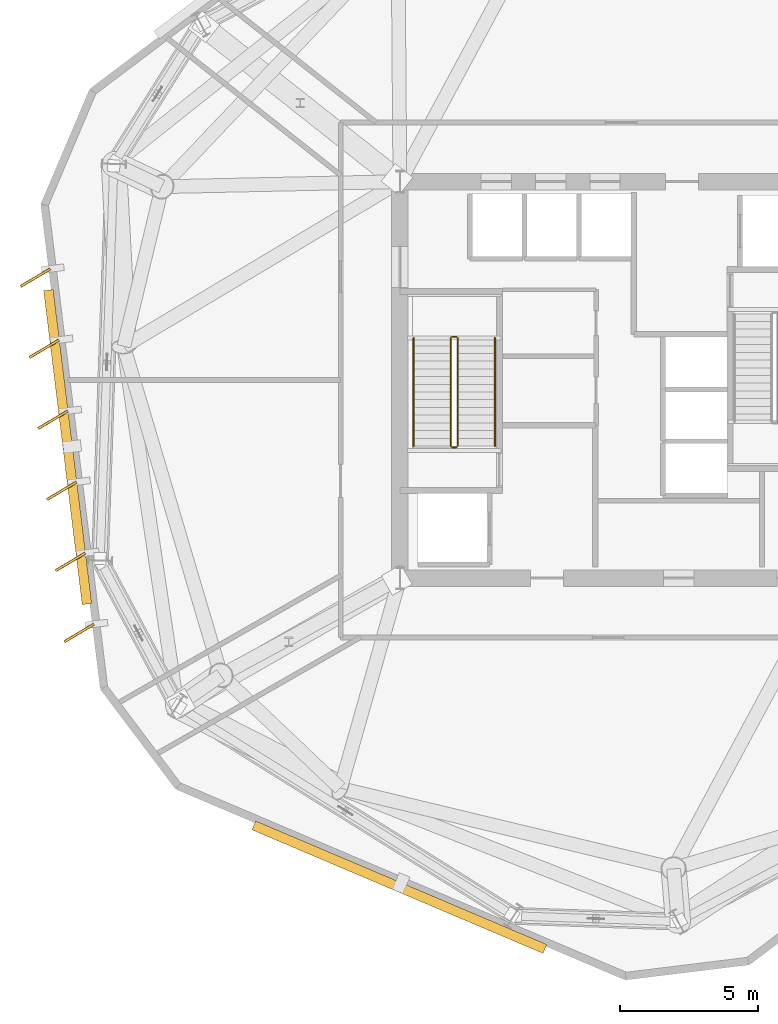
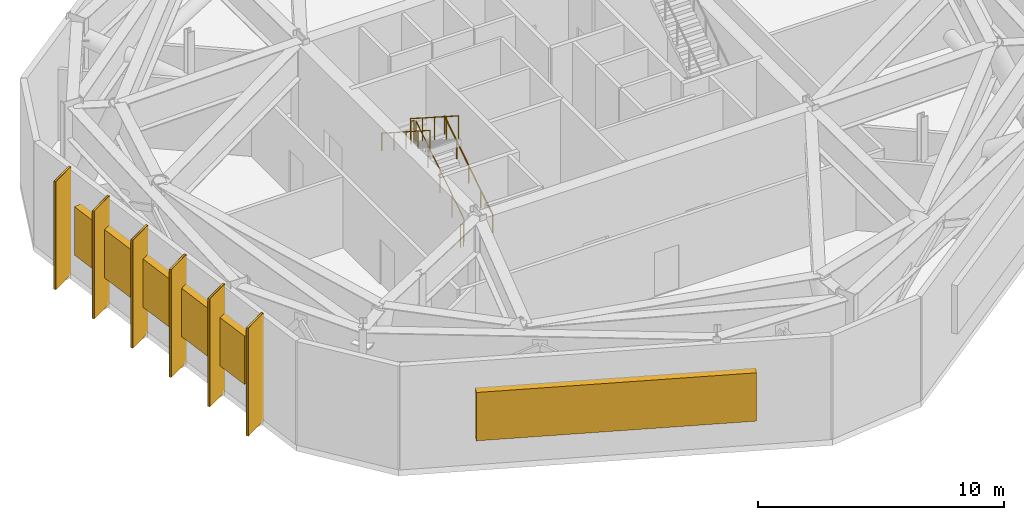
# One storey, part 9 of 11: 8 shading devices, 6 coverings, 6 railings.
"""IFC4 building model written with IfcOpenShell, lengths in metres."""

from ifc_helpers import new_model, si_unit, direction, frame, origin, origin_2d, place, context, subcontext, project, spatial, rectangle, circle, extrude, material, layer, layer_set, type_object, element, save


model = new_model("IFC4")

# Units and contexts
model_context = context("Model", 3, precision=1e-05, world=origin(), true_north=direction((0.0, 1.0)))
body_context = subcontext(model_context, "Body", "Model", "MODEL_VIEW")
ifc_project = project(units=[si_unit("LENGTHUNIT", "METRE"), si_unit("AREAUNIT", "SQUARE_METRE"), si_unit("VOLUMEUNIT", "CUBIC_METRE"), si_unit("PLANEANGLEUNIT", "RADIAN"), si_unit("MASSUNIT", "GRAM", prefix="KILO")], contexts=[model_context])

# Site, building, storey
site_placement = place(None, origin())
site = spatial("IfcSite", under=ifc_project, at=site_placement, CompositionType="ELEMENT")
building_placement = place(site_placement, origin())
building = spatial("IfcBuilding", under=site, at=building_placement, Name="Kranzbogen Civic Tower", CompositionType="ELEMENT")
storey_placement = place(building_placement, frame((0.0, 0.0, 170.39990234375)))
storey = spatial("IfcBuildingStorey", under=building, at=storey_placement, Name="L41", CompositionType="ELEMENT", Elevation=170.39990234375)

# Coverings
ifc_material_1 = material(Name="Pale Anodised Aluminium", Category="aluminium")
ifc_layer = layer(ifc_material_1, 0.02490234375, Name="Pale Anodised Aluminium")
ifc_layer_set = layer_set([ifc_layer], Name="Pale Anodised Aluminium")
covering_type = type_object("IfcCoveringType", Name="Anodised Aluminium Vertical Fin Cladding 25 mm", PredefinedType="CLADDING", material=ifc_layer_set)
for number, where, z_axis, x_axis, name in (
    (1, (3.968017578125, 28.714111328125, -0.14013671875), (0.0, 0.0, 1.0), (-0.860110570438, -0.510107642191, 0.0), "L41 vertical fin pale-metal cladding F3-1"),
    (2, (4.284912109375, 26.133056640625, -0.14013671875), (0.0, 0.0, 1.0), (-0.860110570438, -0.510107642191, 0.0), "L41 vertical fin pale-metal cladding F3-2"),
    (3, (4.60205078125, 23.552978515625, -0.14013671875), (0.0, 0.0, 1.0), (-0.860110570438, -0.510107642191, 0.0), "L41 vertical fin pale-metal cladding F3-3"),
    (4, (4.9189453125, 20.971923828125, -0.14013671875), (0.0, 0.0, 1.0), (-0.860110570438, -0.510107642191, 0.0), "L41 vertical fin pale-metal cladding F3-4"),
    (5, (5.236083984375, 18.39111328125, -0.14013671875), (0.0, 0.0, 1.0), (-0.860110570438, -0.510107642191, 0.0), "L41 vertical fin pale-metal cladding F3-5"),
    (6, (5.552978515625, 15.81103515625, -0.14013671875), (0.0, 0.0, 1.0), (-0.860110570438, -0.510107642191, 0.0), "L41 vertical fin pale-metal cladding F3-6"),
):
    element("IfcCovering", number, at=place(storey_placement, frame(where, z_axis=z_axis, x_axis=x_axis)), inside=storey, type_object=covering_type, Name=name, PredefinedType="CLADDING", context=body_context, shape_type="SweptSolid", body=[
        extrude(rectangle(XDim=1.25, YDim=0.10009765625, at=origin_2d()), origin(), (0.0, 0.0, 1.0), 5.360107421875),
    ])

# Shading devices
ifc_material_2 = material(Name="Anodised Bronze Aluminium", Category="aluminium")
shading_device_type_1 = type_object("IfcShadingDeviceType", Name="Anodised Bronze Vertical Facade Fin 1250x80", PredefinedType="USERDEFINED", material=ifc_material_2)
for number, where, z_axis, x_axis, name in (
    (7, (3.968017578125, 28.714111328125, -0.14013671875), (0.0, 0.0, 1.0), (-0.860110570438, -0.510107642191, 0.0), "L41 vertical exterior shading fin F3-1"),
    (8, (4.284912109375, 26.133056640625, -0.14013671875), (0.0, 0.0, 1.0), (-0.860110570438, -0.510107642191, 0.0), "L41 vertical exterior shading fin F3-2"),
    (9, (4.60205078125, 23.552978515625, -0.14013671875), (0.0, 0.0, 1.0), (-0.860110570438, -0.510107642191, 0.0), "L41 vertical exterior shading fin F3-3"),
    (10, (4.9189453125, 20.971923828125, -0.14013671875), (0.0, 0.0, 1.0), (-0.860110570438, -0.510107642191, 0.0), "L41 vertical exterior shading fin F3-4"),
    (11, (5.236083984375, 18.39111328125, -0.14013671875), (0.0, 0.0, 1.0), (-0.860110570438, -0.510107642191, 0.0), "L41 vertical exterior shading fin F3-5"),
    (12, (5.552978515625, 15.81103515625, -0.14013671875), (0.0, 0.0, 1.0), (-0.860110570438, -0.510107642191, 0.0), "L41 vertical exterior shading fin F3-6"),
):
    element("IfcShadingDevice", number, at=place(storey_placement, frame(where, z_axis=z_axis, x_axis=x_axis)), inside=storey, type_object=shading_device_type_1, Name=name, ObjectType="FIN", PredefinedType="USERDEFINED", context=body_context, shape_type="SweptSolid", body=[
        extrude(rectangle(XDim=1.25, YDim=0.080078125, at=origin_2d()), origin(), (0.0, 0.0, 1.0), 5.360107421875),
    ])

# Railings
ifc_material_3 = material(Name="Steel S355", Category="steel")
railing_type_1 = type_object("IfcRailingType", Name="Internal Stair and Void Steel Guardrail 1150", PredefinedType="GUARDRAIL", material=ifc_material_3)
railing_1_placement = place(storey_placement, frame((19.300048828125, 22.60009765625, 0.18017578125)))
element("IfcRailing", 13, at=railing_1_placement, inside=storey, type_object=railing_type_1, Name="L41 ST-T1 stair guard 1", PredefinedType="GUARDRAIL", context=body_context, shape_type="SweptSolid", body=[
    extrude(circle(Radius=0.02392578125, at=origin_2d()), frame((0.0, 0.0, 1.1259765625), z_axis=(0.0, 0.841171666519, 0.540768182723), x_axis=(-1.0, 0.0, 0.0)), (0.0, 0.0, 1.0), 4.66015625),
    extrude(circle(Radius=0.02099609375, at=origin_2d()), origin(), (0.0, 0.0, 1.0), 1.101806640625),
    extrude(circle(Radius=0.02099609375, at=origin_2d()), frame((0.0, 0.97998046875, 0.6298828125)), (0.0, 0.0, 1.0), 1.101806640625),
    extrude(circle(Radius=0.02099609375, at=origin_2d()), frame((0.0, 1.9599609375, 1.260009765625)), (0.0, 0.0, 1.0), 1.101806640625),
    extrude(circle(Radius=0.02099609375, at=origin_2d()), frame((0.0, 2.93994140625, 1.89013671875)), (0.0, 0.0, 1.0), 1.101806640625),
    extrude(circle(Radius=0.02099609375, at=origin_2d()), frame((0.0, 3.919921875, 2.52001953125)), (0.0, 0.0, 1.0), 1.101806640625),
])
railing_2_placement = place(storey_placement, frame((19.25, 26.570068359375, 2.7001953125)))
element("IfcRailing", 14, at=railing_2_placement, inside=storey, type_object=railing_type_1, Name="L41 ST-T1 stair guard 2", PredefinedType="GUARDRAIL", context=body_context, shape_type="SweptSolid", body=[
    extrude(circle(Radius=0.02392578125, at=origin_2d()), frame((0.0, 0.0, 1.1259765625), z_axis=(-1.0, 0.0, 0.0), x_axis=(0.0, -1.0, 0.0)), (0.0, 0.0, 1.0), 0.14990234375),
    extrude(circle(Radius=0.02099609375, at=origin_2d()), origin(), (0.0, 0.0, 1.0), 1.101806640625),
    extrude(circle(Radius=0.02099609375, at=origin_2d()), frame((-0.14990234375, 0.0, 0.0)), (0.0, 0.0, 1.0), 1.101806640625),
])
railing_3_placement = place(storey_placement, frame((19.050048828125, 26.52001953125, 2.880126953125)))
element("IfcRailing", 15, at=railing_3_placement, inside=storey, type_object=railing_type_1, Name="L41 ST-T1 stair guard 3", PredefinedType="GUARDRAIL", context=body_context, shape_type="SweptSolid", body=[
    extrude(circle(Radius=0.02392578125, at=origin_2d()), frame((0.0, 0.0, 1.1259765625), z_axis=(0.0, -0.841171666519, 0.540768182723), x_axis=(1.0, 0.0, 0.0)), (0.0, 0.0, 1.0), 4.66015625),
    extrude(circle(Radius=0.02099609375, at=origin_2d()), origin(), (0.0, 0.0, 1.0), 1.101806640625),
    extrude(circle(Radius=0.02099609375, at=origin_2d()), frame((0.0, -0.97998046875, 0.6298828125)), (0.0, 0.0, 1.0), 1.101806640625),
    extrude(circle(Radius=0.02099609375, at=origin_2d()), frame((0.0, -1.9599609375, 1.260009765625)), (0.0, 0.0, 1.0), 1.101806640625),
    extrude(circle(Radius=0.02099609375, at=origin_2d()), frame((0.0, -2.93994140625, 1.89013671875)), (0.0, 0.0, 1.0), 1.101806640625),
    extrude(circle(Radius=0.02099609375, at=origin_2d()), frame((0.0, -3.919921875, 2.52001953125)), (0.0, 0.0, 1.0), 1.101806640625),
])
railing_4_placement = place(storey_placement, frame((19.25, 22.550048828125, 0.0)))
element("IfcRailing", 16, at=railing_4_placement, inside=storey, type_object=railing_type_1, Name="L41 ST-T1 stair guard 4", PredefinedType="GUARDRAIL", context=body_context, shape_type="SweptSolid", body=[
    extrude(circle(Radius=0.02392578125, at=origin_2d()), frame((0.0, 0.0, 1.1259765625), z_axis=(-1.0, 0.0, 0.0), x_axis=(0.0, -1.0, 0.0)), (0.0, 0.0, 1.0), 0.14990234375),
    extrude(circle(Radius=0.02099609375, at=origin_2d()), origin(), (0.0, 0.0, 1.0), 1.101806640625),
    extrude(circle(Radius=0.02099609375, at=origin_2d()), frame((-0.14990234375, 0.0, 0.0)), (0.0, 0.0, 1.0), 1.101806640625),
])

# Shading devices
shading_device_type_2 = type_object("IfcShadingDeviceType", Name="Plant Band Acoustic Weather Louvre Module", PredefinedType="USERDEFINED", material=ifc_material_1)
shading_device_1_placement = place(storey_placement, frame((5.136962890625, 22.56103515625, 1.3701171875), z_axis=(0.0, 0.0, 1.0), x_axis=(0.121852020188, -0.992548278511, 0.0)))
element("IfcShadingDevice", 17, at=shading_device_1_placement, inside=storey, type_object=shading_device_type_2, Name="L41 acoustic intake louvre 3", ObjectType="LOUVRE", PredefinedType="USERDEFINED", context=body_context, shape_type="SweptSolid", body=[
    extrude(rectangle(XDim=11.484619140625, YDim=0.35009765625, at=origin_2d()), origin(), (0.0, 0.0, 1.0), 2.39990234375),
])
shading_device_2_placement = place(storey_placement, frame((17.180908203125, 6.5791015625, 1.3701171875), z_axis=(0.0, 0.0, 1.0), x_axis=(0.920511672857, -0.390715062589, 0.0)))
element("IfcShadingDevice", 18, at=shading_device_2_placement, inside=storey, type_object=shading_device_type_2, Name="L41 acoustic intake louvre 4", ObjectType="LOUVRE", PredefinedType="USERDEFINED", context=body_context, shape_type="SweptSolid", body=[
    extrude(rectangle(XDim=11.48388671875, YDim=0.35009765625, at=origin_2d()), origin(), (0.0, 0.0, 1.0), 2.39990234375),
])

# Railings
railing_type_2 = type_object("IfcRailingType", Name="Tubular Stainless Stair Wall Handrail 900", PredefinedType="HANDRAIL", material=ifc_material_1)
railing_5_placement = place(storey_placement, frame((20.64990234375, 22.60009765625, 0.18017578125)))
element("IfcRailing", 19, at=railing_5_placement, inside=storey, type_object=railing_type_2, Name="L41 ST-T1 stair handrail 1", PredefinedType="HANDRAIL", context=body_context, shape_type="SweptSolid", body=[
    extrude(circle(Radius=0.02392578125, at=origin_2d()), frame((0.0, 0.0, 0.8759765625), z_axis=(0.0, 0.841171666519, 0.540768182723), x_axis=(-1.0, 0.0, 0.0)), (0.0, 0.0, 1.0), 4.66015625),
    extrude(circle(Radius=0.02099609375, at=origin_2d()), origin(), (0.0, 0.0, 1.0), 0.851806640625),
    extrude(circle(Radius=0.02099609375, at=origin_2d()), frame((0.0, 0.97998046875, 0.6298828125)), (0.0, 0.0, 1.0), 0.851806640625),
    extrude(circle(Radius=0.02099609375, at=origin_2d()), frame((0.0, 1.9599609375, 1.260009765625)), (0.0, 0.0, 1.0), 0.851806640625),
    extrude(circle(Radius=0.02099609375, at=origin_2d()), frame((0.0, 2.93994140625, 1.89013671875)), (0.0, 0.0, 1.0), 0.851806640625),
    extrude(circle(Radius=0.02099609375, at=origin_2d()), frame((0.0, 3.919921875, 2.52001953125)), (0.0, 0.0, 1.0), 0.851806640625),
])
railing_6_placement = place(storey_placement, frame((17.699951171875, 26.52001953125, 2.880126953125)))
element("IfcRailing", 20, at=railing_6_placement, inside=storey, type_object=railing_type_2, Name="L41 ST-T1 stair handrail 2", PredefinedType="HANDRAIL", context=body_context, shape_type="SweptSolid", body=[
    extrude(circle(Radius=0.02392578125, at=origin_2d()), frame((0.0, 0.0, 0.8759765625), z_axis=(0.0, -0.841171666519, 0.540768182723), x_axis=(1.0, 0.0, 0.0)), (0.0, 0.0, 1.0), 4.66015625),
    extrude(circle(Radius=0.02099609375, at=origin_2d()), origin(), (0.0, 0.0, 1.0), 0.851806640625),
    extrude(circle(Radius=0.02099609375, at=origin_2d()), frame((0.0, -0.97998046875, 0.6298828125)), (0.0, 0.0, 1.0), 0.851806640625),
    extrude(circle(Radius=0.02099609375, at=origin_2d()), frame((0.0, -1.9599609375, 1.260009765625)), (0.0, 0.0, 1.0), 0.851806640625),
    extrude(circle(Radius=0.02099609375, at=origin_2d()), frame((0.0, -2.93994140625, 1.89013671875)), (0.0, 0.0, 1.0), 0.851806640625),
    extrude(circle(Radius=0.02099609375, at=origin_2d()), frame((0.0, -3.919921875, 2.52001953125)), (0.0, 0.0, 1.0), 0.851806640625),
])

save(model, "model.ifc")
